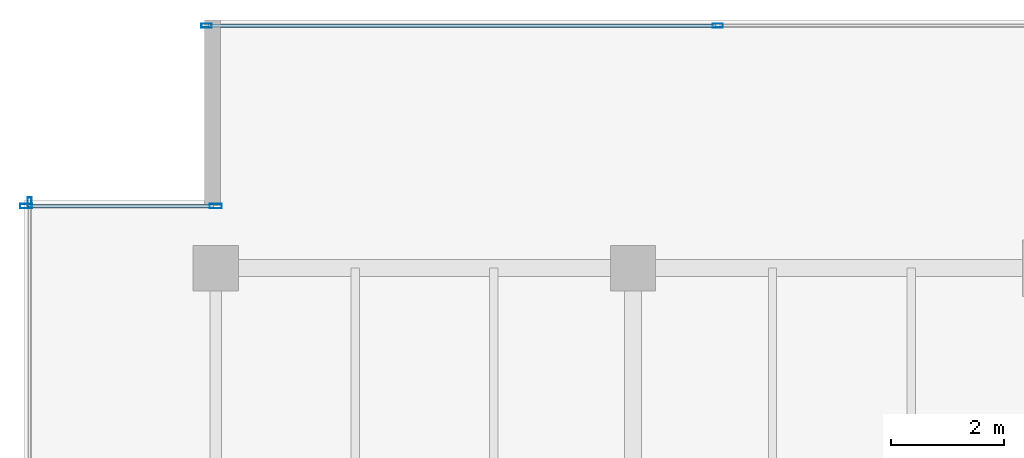
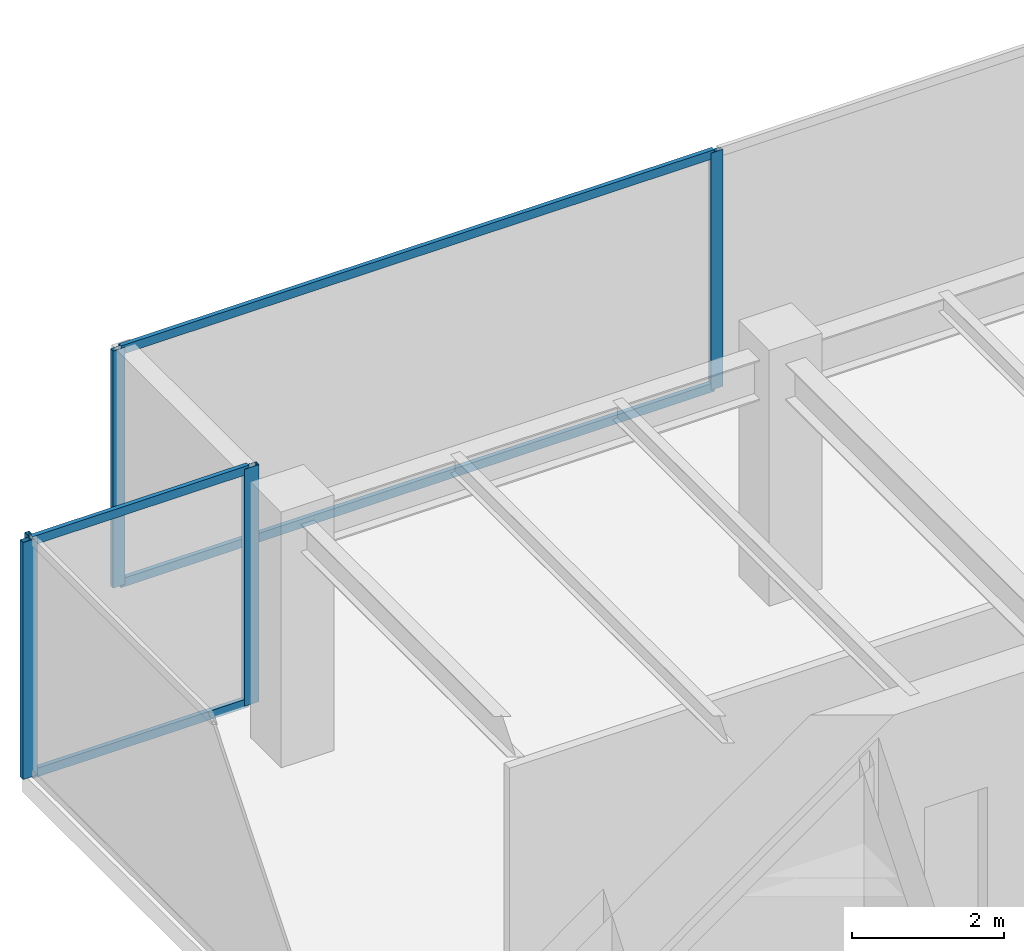
# One storey, part 15 of 33: 9 members, 3 elements without a shape of their own.
"""IFC4 building model written with IfcOpenShell, lengths in metres."""

from ifc_helpers import new_model, si_unit, direction, frame, origin, origin_2d, place, context, subcontext, project, spatial, hollow_rectangle, extrude, source, transform, mapped, material, layer, layer_set, material_profile, profile_set, type_object, type_shapes, element, aggregate, save


model = new_model("IFC4")

# Units and contexts
model_context = context("Model", 3, precision=1e-05, world=origin(), true_north=direction((0.0, 1.0)))
body_context = subcontext(model_context, "Body", "Model", "MODEL_VIEW")
ifc_project = project(units=[si_unit("LENGTHUNIT", "METRE"), si_unit("AREAUNIT", "SQUARE_METRE"), si_unit("VOLUMEUNIT", "CUBIC_METRE"), si_unit("PLANEANGLEUNIT", "RADIAN"), si_unit("MASSUNIT", "GRAM", prefix="KILO")], contexts=[model_context])

# Site, building, storey
site_placement = place(None, origin())
site = spatial("IfcSite", under=ifc_project, at=site_placement, CompositionType="ELEMENT")
building_placement = place(site_placement, origin())
building = spatial("IfcBuilding", under=site, at=building_placement, Name="Haelvirn Gate Laboratories", CompositionType="ELEMENT")
storey_placement = place(building_placement, frame((0.0, 0.0, 209.60009765625)))
storey = spatial("IfcBuildingStorey", under=building, at=storey_placement, Name="L50", CompositionType="ELEMENT", Elevation=209.60009765625)

# Curtain wall, members
ifc_material_1 = material(Name="Anodised bronze unitised aluminium & triple low-E glass", Category="aluminium")
ifc_layer_1 = layer(ifc_material_1, 0.181884765625, Name="CW-SYS-5")
ifc_layer_set_1 = layer_set([ifc_layer_1], Name="Anodised bronze unitised aluminium & triple low-E glass")
curtain_wall_type_1 = type_object("IfcCurtainWallType", Name="CW-SYS-5", PredefinedType="NOTDEFINED", material=ifc_layer_set_1)
curtain_wall_1_placement = place(storey_placement, origin())
curtain_wall_1 = element("IfcCurtainWall", 1, at=curtain_wall_1_placement, inside=storey, type_object=curtain_wall_type_1, Name="L50 Unitised Curtain Wall CW-L50-P0-E16-1", PredefinedType="NOTDEFINED")
ifc_material_2 = material(Name="Extruded aluminium 6063-T6 (anodised bronze)", Category="aluminium")
ifc_material_profile_1 = material_profile(ifc_material_2, hollow_rectangle(XDim=0.06494140625, YDim=0.139892578125, WallThickness=0.00390625, at=origin_2d()), Name="CWT-140x65x4")
ifc_profile_set_1 = profile_set([ifc_material_profile_1], Name="Extruded aluminium 6063-T6 (anodised bronze)")
member_type_1 = type_object("IfcMemberType", Name="CWT-T140", PredefinedType="USERDEFINED", material=ifc_profile_set_1)
shared_shape_1 = source(origin(), body_context, "Body", "SweptSolid", [
    extrude(hollow_rectangle(XDim=0.06494140625, YDim=0.139892578125, WallThickness=0.00390625, at=origin_2d()), origin(), (0.0, 0.0, 1.0), 3.280029296875),
])
member_1_placement = place(storey_placement, frame((4.080078125, 42.699951171875, 0.032470703125), z_axis=(1.0, 0.0, 0.0), x_axis=(0.0, 1.0, 0.0)))
member_1 = element("IfcMember", 2, at=member_1_placement, type_object=member_type_1, Name="CW5 transom 1.1", ObjectType="TRANSOM", PredefinedType="USERDEFINED", context=body_context, shape_type="MappedRepresentation", body=[
    mapped(shared_shape_1, transform((0.0, 0.0, 0.0), scale=1.0)),
])
member_2_placement = place(storey_placement, frame((4.080078125, 42.699951171875, 3.767333984375), z_axis=(1.0, 0.0, 0.0), x_axis=(0.0, 1.0, 0.0)))
member_2 = element("IfcMember", 3, at=member_2_placement, type_object=member_type_1, Name="CW5 transom 1.2", ObjectType="TRANSOM", PredefinedType="USERDEFINED", context=body_context, shape_type="MappedRepresentation", body=[
    mapped(shared_shape_1, transform((0.0, 0.0, 0.0), scale=1.0)),
])

ifc_layer_2 = layer(ifc_material_1, 0.176025390625, Name="CW-SYS-4")
ifc_layer_set_2 = layer_set([ifc_layer_2], Name="Anodised bronze unitised aluminium & triple low-E glass")
curtain_wall_type_2 = type_object("IfcCurtainWallType", Name="CW-SYS-4", PredefinedType="NOTDEFINED", material=ifc_layer_set_2)
curtain_wall_2_placement = place(storey_placement, origin())
curtain_wall_2 = element("IfcCurtainWall", 4, at=curtain_wall_2_placement, inside=storey, type_object=curtain_wall_type_2, Name="L50 Unitised Curtain Wall CW-L50-P0-E14-1", PredefinedType="NOTDEFINED")
shared_shape_2 = source(origin(), body_context, "Body", "SweptSolid", [
    extrude(hollow_rectangle(XDim=0.06494140625, YDim=0.139892578125, WallThickness=0.00390625, at=origin_2d()), origin(), (0.0, 0.0, 1.0), 8.994873046875),
])
type_shapes(member_type_1, [shared_shape_1, shared_shape_2])
member_3_placement = place(storey_placement, frame((7.27001953125, 45.89990234375, 0.032470703125), z_axis=(1.0, 0.0, 0.0), x_axis=(0.0, 1.0, 0.0)))
member_3 = element("IfcMember", 5, at=member_3_placement, type_object=member_type_1, Name="CW4 transom 1.1", ObjectType="TRANSOM", PredefinedType="USERDEFINED", context=body_context, shape_type="MappedRepresentation", body=[
    mapped(shared_shape_2, transform((0.0, 0.0, 0.0), scale=1.0)),
])
member_4_placement = place(storey_placement, frame((7.27001953125, 45.89990234375, 3.767333984375), z_axis=(1.0, 0.0, 0.0), x_axis=(0.0, 1.0, 0.0)))
member_4 = element("IfcMember", 6, at=member_4_placement, type_object=member_type_1, Name="CW4 transom 1.2", ObjectType="TRANSOM", PredefinedType="USERDEFINED", context=body_context, shape_type="MappedRepresentation", body=[
    mapped(shared_shape_2, transform((0.0, 0.0, 0.0), scale=1.0)),
])
ifc_material_profile_2 = material_profile(ifc_material_2, hollow_rectangle(XDim=0.070068359375, YDim=0.179931640625, WallThickness=0.0048828125, at=origin_2d()), Name="CWM-180x70x5")
ifc_profile_set_2 = profile_set([ifc_material_profile_2], Name="Extruded aluminium 6063-T6 (anodised bronze)")
member_type_2 = type_object("IfcMemberType", Name="CWM-T180", PredefinedType="MULLION", material=ifc_profile_set_2)
shared_shape_3 = source(origin(), body_context, "Body", "SweptSolid", [
    extrude(hollow_rectangle(XDim=0.070068359375, YDim=0.179931640625, WallThickness=0.0048828125, at=origin_2d()), origin(), (0.0, 0.0, 1.0), 3.7998046875),
])
type_shapes(member_type_2, [shared_shape_3])
member_5_placement = place(storey_placement, frame((7.235107421875, 45.89990234375, 0.0), z_axis=(0.0, 0.0, 1.0), x_axis=(0.0, 1.0, 0.0)))
member_5 = element("IfcMember", 7, at=member_5_placement, type_object=member_type_2, Name="CW4 mullion 1", PredefinedType="MULLION", context=body_context, shape_type="MappedRepresentation", body=[
    mapped(shared_shape_3, transform((0.0, 0.0, 0.0), scale=1.0)),
])
member_6_placement = place(storey_placement, frame((16.300048828125, 45.89990234375, 0.0), z_axis=(0.0, 0.0, 1.0), x_axis=(0.0, 1.0, 0.0)))
member_6 = element("IfcMember", 8, at=member_6_placement, type_object=member_type_2, Name="CW4 mullion 2", PredefinedType="MULLION", context=body_context, shape_type="MappedRepresentation", body=[
    mapped(shared_shape_3, transform((0.0, 0.0, 0.0), scale=1.0)),
])
aggregate(curtain_wall_2, [member_5, member_6, member_3, member_4])

# Curtain wall, member
curtain_wall_3_placement = place(storey_placement, origin())
curtain_wall_3 = element("IfcCurtainWall", 9, at=curtain_wall_3_placement, inside=storey, type_object=curtain_wall_type_2, Name="L50 Unitised Curtain Wall CW-L50-P0-E17", PredefinedType="NOTDEFINED")
member_7_placement = place(storey_placement, frame((4.10009765625, 42.764892578125, 0.0), z_axis=(0.0, 0.0, 1.0), x_axis=(1.0, 0.0, 0.0)))
member_7 = element("IfcMember", 10, at=member_7_placement, type_object=member_type_2, Name="CW4 mullion 1", PredefinedType="MULLION", context=body_context, shape_type="MappedRepresentation", body=[
    mapped(shared_shape_3, transform((0.0, 0.0, 0.0), scale=1.0)),
])
aggregate(curtain_wall_3, [member_7])

# Member
ifc_material_profile_3 = material_profile(ifc_material_2, hollow_rectangle(XDim=0.080078125, YDim=0.219970703125, WallThickness=0.006103515625, at=origin_2d()), Name="CWM-220x80x6")
ifc_profile_set_3 = profile_set([ifc_material_profile_3], Name="Extruded aluminium 6063-T6 (anodised bronze)")
member_type_3 = type_object("IfcMemberType", Name="CWM-T220", PredefinedType="MULLION", material=ifc_profile_set_3)
shared_shape_4 = source(origin(), body_context, "Body", "SweptSolid", [
    extrude(hollow_rectangle(XDim=0.080078125, YDim=0.219970703125, WallThickness=0.006103515625, at=origin_2d()), origin(), (0.0, 0.0, 1.0), 3.7998046875),
])
type_shapes(member_type_3, [shared_shape_4])
member_8_placement = place(storey_placement, frame((4.0400390625, 42.699951171875, 0.0), z_axis=(0.0, 0.0, 1.0), x_axis=(0.0, 1.0, 0.0)))
member_8 = element("IfcMember", 11, at=member_8_placement, type_object=member_type_3, Name="CW5 mullion 1", PredefinedType="MULLION", context=body_context, shape_type="MappedRepresentation", body=[
    mapped(shared_shape_4, transform((0.0, 0.0, 0.0), scale=1.0)),
])

member_9_placement = place(storey_placement, frame((7.39990234375, 42.699951171875, 0.0), z_axis=(0.0, 0.0, 1.0), x_axis=(0.0, 1.0, 0.0)))
member_9 = element("IfcMember", 12, at=member_9_placement, type_object=member_type_3, Name="CW5 mullion 2", PredefinedType="MULLION", context=body_context, shape_type="MappedRepresentation", body=[
    mapped(shared_shape_4, transform((0.0, 0.0, 0.0), scale=1.0)),
])

aggregate(curtain_wall_1, [member_8, member_9, member_1, member_2])

save(model, "model.ifc")
